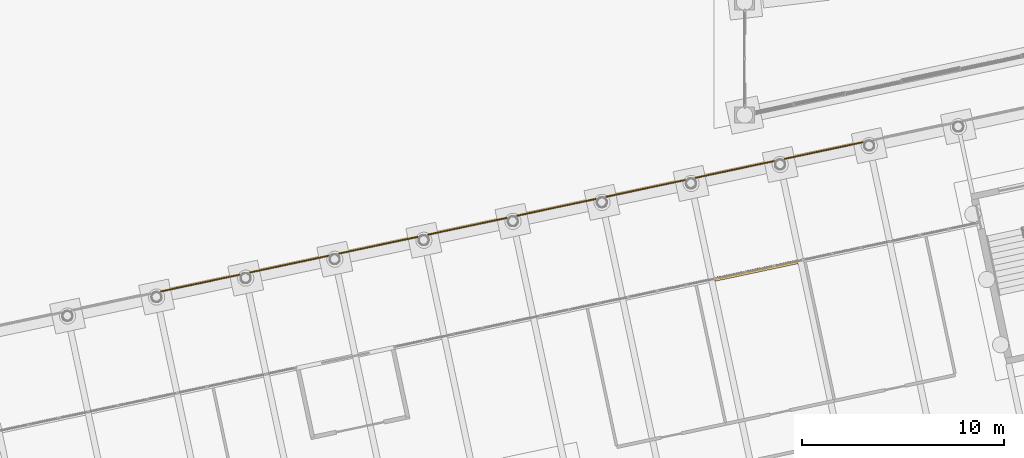
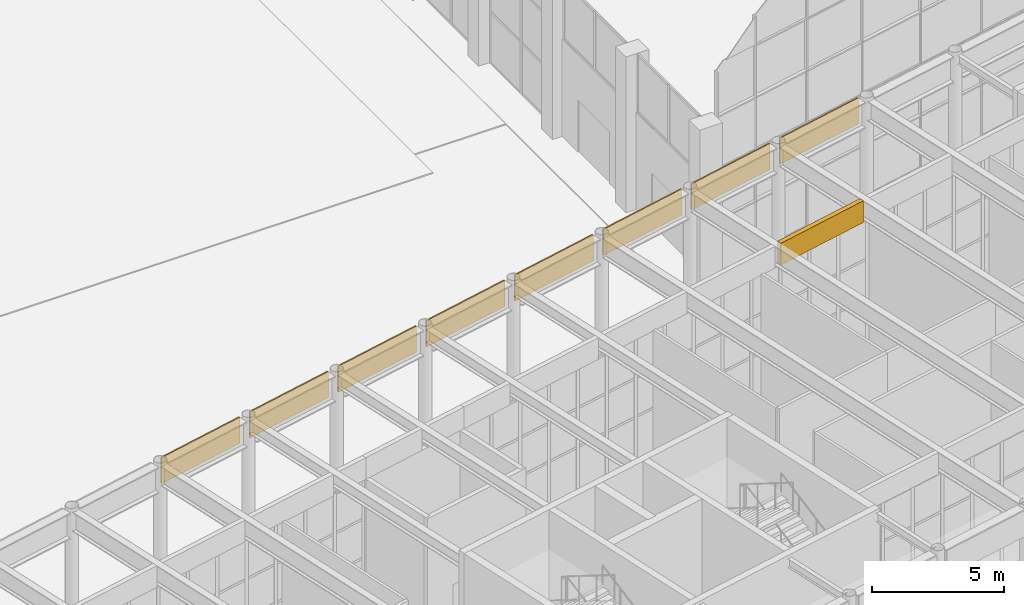
# One storey, part 218 of 239: 9 coverings.
"""IFC4 building model written with IfcOpenShell, lengths in metres."""

import ifcopenshell
import ifcopenshell.guid

model = None  # the IFC model being written
_history = None  # IfcOwnerHistory: only IFC2X3 demands one
_inside = {}  # id of a spatial element -> (the spatial element, [elements in it])
_under = {}  # id of a project, library or spatial element -> (it, [spatial elements below it])
_declared = {}  # id of a project -> (the project, [libraries it declares])
_typed = {}  # id of a type object -> (the type object, [elements of that type])
_made_of = {}  # id of a material, layer set ... -> (it, [elements and type objects made of it])


def new_model(schema):
    """Start an empty IFC model of exactly this schema.

    Asked for "IFC4X3", IfcOpenShell would pick the latest addendum, in which some entities
    have other attributes; the version numbers below select the first issue.
    IFC2X3 requires an IfcOwnerHistory on every rooted entity: one is made here for all.
    """
    global model, _history
    if schema == "IFC4X3":
        model = ifcopenshell.file(schema_version=(4, 3, 0, 0))
    else:
        model = ifcopenshell.file(schema=schema)
    _inside.clear()
    _under.clear()
    _declared.clear()
    _typed.clear()
    _made_of.clear()
    _history = None
    if model.schema == "IFC2X3":
        org = make("IfcOrganization", Name="unknown")
        user = make(
            "IfcPersonAndOrganization",
            ThePerson=make("IfcPerson", FamilyName="unknown"),
            TheOrganization=org,
        )
        app = make(
            "IfcApplication",
            ApplicationDeveloper=org,
            Version="unknown",
            ApplicationFullName="unknown",
            ApplicationIdentifier="unknown",
        )
        _history = make(
            "IfcOwnerHistory",
            OwningUser=user,
            OwningApplication=app,
            ChangeAction="ADDED",
            CreationDate=0,
        )
    return model


def make(cls, **values):
    """One entity of the class cls with the attributes given. An attribute that is None is left unset."""
    return model.create_entity(
        cls, **{name: value for name, value in values.items() if value is not None}
    )


def rooted(cls, **values):
    """An entity with a GlobalId (a new one), such as an element, a storey or a relation."""
    return make(cls, GlobalId=ifcopenshell.guid.new(), OwnerHistory=_history, **values)


def si_unit(unit_type, name, prefix=None):
    """IfcSIUnit, for example si_unit("LENGTHUNIT", "METRE", prefix="MILLI")."""
    return make("IfcSIUnit", UnitType=unit_type, Prefix=prefix, Name=name)


def assignment(units):
    """IfcUnitAssignment: the units of a project."""
    return None if units is None else make("IfcUnitAssignment", Units=units)


def point(xyz):
    """IfcCartesianPoint."""
    return None if xyz is None else make("IfcCartesianPoint", Coordinates=xyz)


def direction(xyz):
    """IfcDirection."""
    return None if xyz is None else make("IfcDirection", DirectionRatios=xyz)


def frame(location, z_axis=None, x_axis=None):
    """IfcAxis2Placement3D, a coordinate frame: its origin and axes. An axis left out is left unset."""
    return make(
        "IfcAxis2Placement3D",
        Location=point(location),
        Axis=direction(z_axis),
        RefDirection=direction(x_axis),
    )


def frame_2d(location, x_axis=None):
    """IfcAxis2Placement2D, a coordinate frame in the plane: its origin and x axis."""
    return make(
        "IfcAxis2Placement2D", Location=point(location), RefDirection=direction(x_axis)
    )


def origin():
    """The frame at (0, 0, 0) with its axes left unset."""
    return frame((0.0, 0.0, 0.0))


def origin_2d():
    """The frame at (0, 0) in the plane with its x axis left unset."""
    return frame_2d((0.0, 0.0))


def place(relative_to, where):
    """IfcLocalPlacement: puts the frame where relative to a parent placement (None: the world)."""
    return make(
        "IfcLocalPlacement", PlacementRelTo=relative_to, RelativePlacement=where
    )


def context(
    kind, dimensions, precision=None, world=None, true_north=None, identifier=None
):
    """IfcGeometricRepresentationContext, for example the 3D "Model" context."""
    return make(
        "IfcGeometricRepresentationContext",
        ContextIdentifier=identifier,
        ContextType=kind,
        CoordinateSpaceDimension=dimensions,
        Precision=precision,
        WorldCoordinateSystem=world,
        TrueNorth=true_north,
    )


def subcontext(parent, identifier, kind, view, scale=None):
    """IfcGeometricRepresentationSubContext, for example "Body" below "Model"."""
    return make(
        "IfcGeometricRepresentationSubContext",
        ContextIdentifier=identifier,
        ContextType=kind,
        ParentContext=parent,
        TargetScale=scale,
        TargetView=view,
    )


def project(units=None, contexts=None):
    """IfcProject with its units and contexts."""
    return rooted(
        "IfcProject",
        Name="project",
        RepresentationContexts=contexts,
        UnitsInContext=assignment(units),
    )


def spatial(cls, under=None, at=None, **own):
    """A site, building, storey or space (cls), placed at a placement, below another one or the project."""
    s = rooted(cls, ObjectPlacement=at, **own)
    if under is not None:
        _under.setdefault(under.id(), (under, []))[1].append(s)
    return s


def profile(cls, at=None, kind="AREA", **sizes):
    """A parametric profile (cls). Its sizes go by their IFC names, for example OverallWidth=200.0."""
    return make(cls, ProfileType=kind, Position=at, **sizes)


def rectangle(**sizes):
    """IfcRectangleProfileDef."""
    return profile("IfcRectangleProfileDef", **sizes)


def extrude(swept, where, along, depth):
    """IfcExtrudedAreaSolid: the profile swept, set in the frame where, extruded along a direction by depth."""
    return make(
        "IfcExtrudedAreaSolid",
        SweptArea=swept,
        Position=where,
        ExtrudedDirection=direction(along),
        Depth=depth,
    )


def shape(context_of_items, identifier, shape_type, items):
    """IfcShapeRepresentation: the items that make up one representation, for example the "Body"."""
    return make(
        "IfcShapeRepresentation",
        ContextOfItems=context_of_items,
        RepresentationIdentifier=identifier,
        RepresentationType=shape_type,
        Items=items,
    )


def material(Name=None, Category=None):
    """IfcMaterial."""
    return make("IfcMaterial", Name=Name, Category=Category)


def layer(
    of_material, thickness, ventilated=None, Name=None, Category=None, Priority=None
):
    """IfcMaterialLayer: one layer of a wall or slab, of a material (None: an air gap)."""
    return make(
        "IfcMaterialLayer",
        Material=of_material,
        LayerThickness=thickness,
        IsVentilated=ventilated,
        Name=Name,
        Category=Category,
        Priority=Priority,
    )


def layer_set(layers, Name=None):
    """IfcMaterialLayerSet."""
    return make("IfcMaterialLayerSet", MaterialLayers=layers, LayerSetName=Name)


def made_of(thing, what):
    """Note that an element or type object is made of a material, layer set ...; save() writes the relation."""
    if what is not None:
        _made_of.setdefault(what.id(), (what, []))[1].append(thing)
    return thing


def type_object(cls, material=None, **own):
    """A type object (cls), such as IfcWallType, which elements share."""
    return made_of(rooted(cls, **own), material)


def element(
    cls,
    number,
    at=None,
    inside=None,
    cuts=None,
    type_object=None,
    material=None,
    context=None,
    identifier="Body",
    shape_type=None,
    held_by="IfcProductDefinitionShape",
    body=None,
    shapes=None,
    **own,
):
    """One element of the class cls, such as IfcWall. Its Tag is "e" and its number.

    at: its placement. inside: the storey or other place that contains it. cuts: it is an
    opening in that element (IfcRelVoidsElement). A single representation is given by context,
    identifier, shape_type and body (its items); several are given by shapes. held_by: the class
    of the entity that holds the representations. save() writes the other relations.
    """
    e = rooted(cls, Tag="e%d" % number, ObjectPlacement=at, **own)
    if body is not None:
        shapes = [shape(context, identifier, shape_type, body)]
    if shapes is not None:
        e.Representation = make(held_by, Representations=shapes)
    if inside is not None:
        _inside.setdefault(inside.id(), (inside, []))[1].append(e)
    if cuts is not None:
        rooted(
            "IfcRelVoidsElement", RelatingBuildingElement=cuts, RelatedOpeningElement=e
        )
    if type_object is not None:
        _typed.setdefault(type_object.id(), (type_object, []))[1].append(e)
    return made_of(e, material)


def aggregate(whole, parts):
    """IfcRelAggregates: a whole, such as a stair, and the parts it consists of."""
    return rooted("IfcRelAggregates", RelatingObject=whole, RelatedObjects=parts)


def save(model, path):
    """Write the relations noted so far, then the file.

    IfcRelAggregates (storeys below a building ...), IfcRelContainedInSpatialStructure (elements
    in a storey), IfcRelDefinesByType, IfcRelAssociatesMaterial and IfcRelDeclares: one each for
    every whole, place, type object, material and project.
    """
    for whole, parts in _under.values():
        aggregate(whole, parts)
    for where, things in _inside.values():
        rooted(
            "IfcRelContainedInSpatialStructure",
            RelatedElements=things,
            RelatingStructure=where,
        )
    for kind, things in _typed.values():
        rooted("IfcRelDefinesByType", RelatedObjects=things, RelatingType=kind)
    for what, things in _made_of.values():
        rooted("IfcRelAssociatesMaterial", RelatedObjects=things, RelatingMaterial=what)
    for by, libraries in _declared.values():
        rooted("IfcRelDeclares", RelatingContext=by, RelatedDefinitions=libraries)
    model.write(path)


model = new_model("IFC4")

# Units and contexts
model_context = context("Model", 3, precision=1e-05, world=origin(), true_north=direction((0.0, 1.0)))
body_context = subcontext(model_context, "Body", "Model", "MODEL_VIEW")
ifc_project = project(units=[si_unit("LENGTHUNIT", "METRE"), si_unit("AREAUNIT", "SQUARE_METRE"), si_unit("VOLUMEUNIT", "CUBIC_METRE"), si_unit("PLANEANGLEUNIT", "RADIAN"), si_unit("MASSUNIT", "GRAM", prefix="KILO")], contexts=[model_context])

# Site, building, storey
site_placement = place(None, origin())
site = spatial("IfcSite", under=ifc_project, at=site_placement, CompositionType="ELEMENT")
building_placement = place(site_placement, origin())
building = spatial("IfcBuilding", under=site, at=building_placement, Name="Okhra Congress Centre", CompositionType="ELEMENT")
storey_placement = place(building_placement, origin())
storey = spatial("IfcBuildingStorey", under=building, at=storey_placement, Name="L00", CompositionType="ELEMENT", Elevation=0.0)

# Coverings
ifc_material_1 = material(Name="Dark bronze anodised aluminium fascia panel", Category="aluminium")
ifc_layer_1 = layer(ifc_material_1, 0.06005859375)
ifc_layer_set_1 = layer_set([ifc_layer_1], Name="Dark bronze fascia strip 60")
covering_type_1 = type_object("IfcCoveringType", Name="Dark bronze fascia strip 60", PredefinedType="CLADDING", material=ifc_layer_set_1)
for number, where, z_axis, x_axis, name in (
    (1, (128.600830078125, 65.947265625, 5.85009765625), (0.0, 0.0, 1.0), (0.978147600734, 0.207911690818, 0.0), "Girder fascia strip"),
    (2, (133.00244140625, 66.8828125, 5.85009765625), (0.0, 0.0, 1.0), (0.978147600734, 0.207911690818, 0.0), "Girder fascia strip"),
    (3, (137.404052734375, 67.818359375, 5.85009765625), (0.0, 0.0, 1.0), (0.978147600734, 0.207911690818, 0.0), "Girder fascia strip"),
    (4, (141.8056640625, 68.75390625, 5.85009765625), (0.0, 0.0, 1.0), (0.978147600734, 0.207911690818, 0.0), "Girder fascia strip"),
    (5, (146.20751953125, 69.689697265625, 5.85009765625), (0.0, 0.0, 1.0), (0.978147600734, 0.207911690818, 0.0), "Girder fascia strip"),
    (6, (150.609130859375, 70.625244140625, 5.85009765625), (0.0, 0.0, 1.0), (0.978147600734, 0.207911690818, 0.0), "Girder fascia strip"),
    (7, (155.0107421875, 71.560791015625, 5.85009765625), (0.0, 0.0, 1.0), (0.978147600734, 0.207911690818, 0.0), "Girder fascia strip"),
    (8, (159.412353515625, 72.496337890625, 5.85009765625), (0.0, 0.0, 1.0), (0.978147600734, 0.207911690818, 0.0), "Girder fascia strip"),
):
    element("IfcCovering", number, at=place(storey_placement, frame(where, z_axis=z_axis, x_axis=x_axis)), inside=storey, type_object=covering_type_1, Name=name, PredefinedType="CLADDING", context=body_context, shape_type="SweptSolid", body=[
        extrude(rectangle(XDim=3.991943359375, YDim=0.06005859375, at=origin_2d()), origin(), (0.0, 0.0, 1.0), 1.199951171875),
    ])
ifc_material_2 = material(Name="Insulated metal sandwich panel (mineral wool core)")
ifc_layer_2 = layer(ifc_material_2, 0.199951171875)
ifc_layer_set_2 = layer_set([ifc_layer_2], Name="Insulated fascia cladding panel 200")
covering_type_2 = type_object("IfcCoveringType", Name="Insulated fascia cladding panel 200", PredefinedType="CLADDING", material=ifc_layer_set_2)
covering_placement = place(storey_placement, frame((156.072021484375, 66.5673828125, 6.050048828125), z_axis=(0.0, 0.0, 1.0), x_axis=(0.978147600734, 0.207911690818, 0.0)))
element("IfcCovering", 9, at=covering_placement, inside=storey, type_object=covering_type_2, Name="Fascia over glazing", PredefinedType="CLADDING", context=body_context, shape_type="SweptSolid", body=[
    extrude(rectangle(XDim=4.199951171875, YDim=0.199951171875, at=origin_2d()), origin(), (0.0, 0.0, 1.0), 1.0),
])

save(model, "model.ifc")
